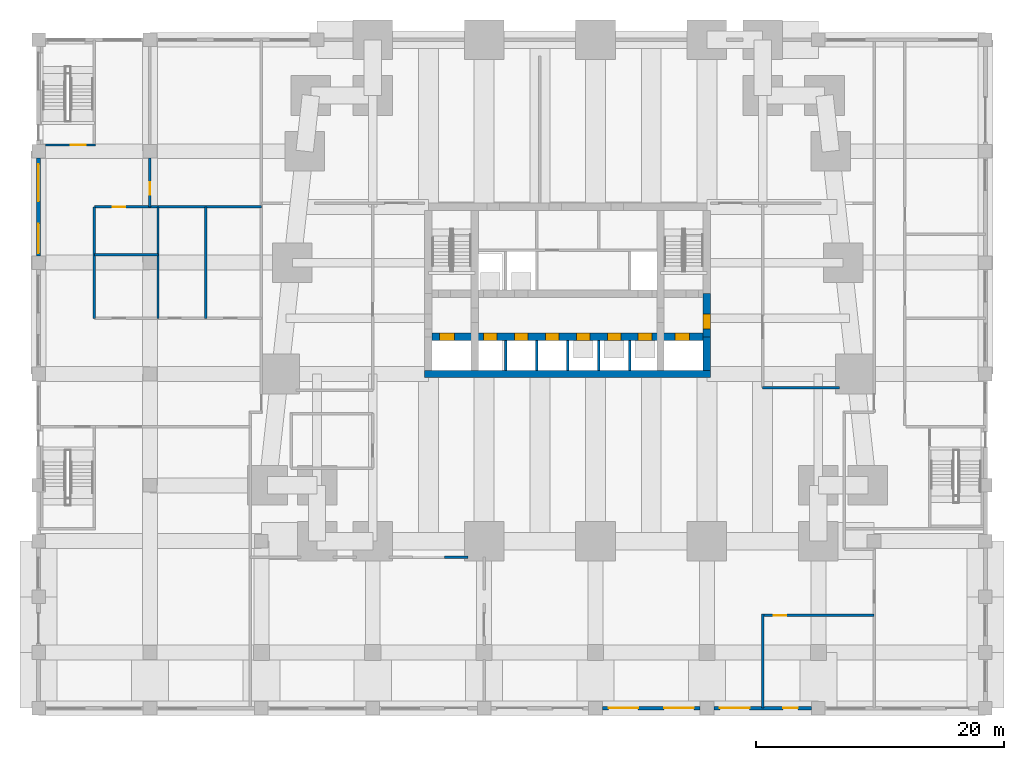
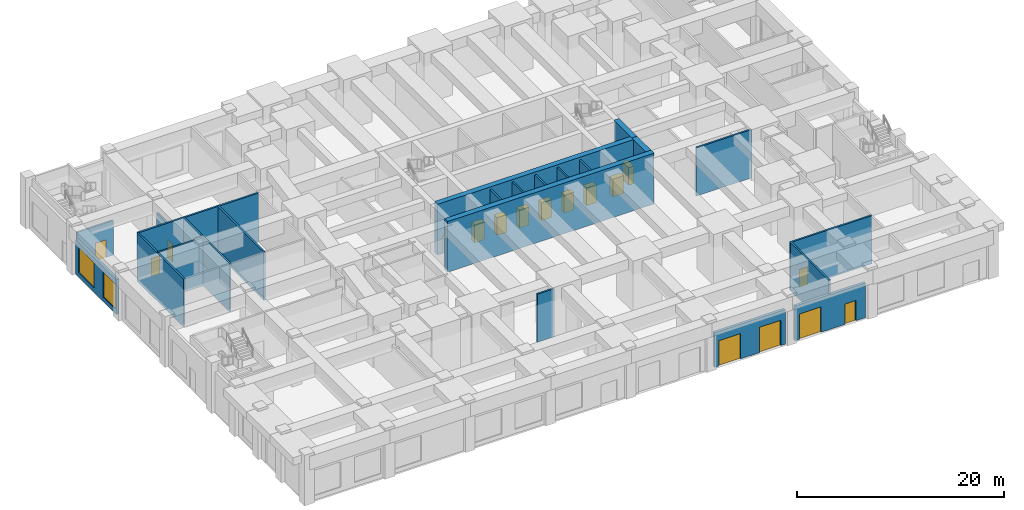
# One storey, part 4 of 13: 23 walls, 17 doors, 2 windows, 19 openings.
"""IFC4 building model written with IfcOpenShell, lengths in metres."""

from ifc_helpers import new_model, si_unit, direction, frame, frame_2d, origin, place, context, subcontext, project, spatial, rectangle, extrude, material, layer, layer_set, type_object, element, fill, save


model = new_model("IFC4")

# Units and contexts
model_context = context("Model", 3, precision=1e-05, world=origin(), true_north=direction((0.0, 1.0)))
body_context = subcontext(model_context, "Body", "Model", "MODEL_VIEW")
ifc_project = project(units=[si_unit("LENGTHUNIT", "METRE"), si_unit("AREAUNIT", "SQUARE_METRE"), si_unit("VOLUMEUNIT", "CUBIC_METRE"), si_unit("PLANEANGLEUNIT", "RADIAN"), si_unit("MASSUNIT", "GRAM", prefix="KILO")], contexts=[model_context])

# Site, building, storey
site_placement = place(None, origin())
site = spatial("IfcSite", under=ifc_project, at=site_placement, CompositionType="ELEMENT")
building_placement = place(site_placement, origin())
building = spatial("IfcBuilding", under=site, at=building_placement, Name="Kilele Tower Hotel", CompositionType="ELEMENT")
storey_placement = place(building_placement, origin())
storey = spatial("IfcBuildingStorey", under=building, at=storey_placement, Name="L00", CompositionType="ELEMENT", Elevation=0.0)

# Wall
ifc_material_1 = material(Name="Concrete C60/75", Category="concrete")
ifc_layer_1 = layer(ifc_material_1, 0.60009765625)
ifc_layer_set_1 = layer_set([ifc_layer_1], Name="Concrete C60/75")
wall_type_1 = type_object("IfcWallType", Name="Core wall 600 C60/75", PredefinedType="SHEAR", material=ifc_layer_set_1)
wall_1_placement = place(storey_placement, frame((13.199951171875, 13.5, 0.0), z_axis=(0.0, 0.0, 1.0), x_axis=(1.0, 0.0, 0.0)))
element("IfcWall", 1, at=wall_1_placement, inside=storey, type_object=wall_type_1, Name="Core wall S L00", PredefinedType="SHEAR", context=body_context, shape_type="SweptSolid", body=[
    extrude(rectangle(XDim=23.10009765625, YDim=0.60009765625, at=frame_2d((11.550048828125, 0.0))), origin(), (0.0, 0.0, 1.0), 6.0),
])

# Wall, openings, doors
wall_2_placement = place(storey_placement, frame((13.800048828125, 16.5, 0.0), z_axis=(0.0, 0.0, 1.0), x_axis=(1.0, 0.0, 0.0)))
wall_2 = element("IfcWall", 2, at=wall_2_placement, inside=storey, type_object=wall_type_1, Name="Core wall LS L00", PredefinedType="SHEAR", context=body_context, shape_type="SweptSolid", body=[
    extrude(rectangle(XDim=21.89990234375, YDim=0.60009765625, at=frame_2d((10.949951171875, 0.0))), origin(), (0.0, 0.0, 1.0), 6.0),
])
opening_1_placement = place(wall_2_placement, frame((4.14990234375, 0.0, 0.0)))
opening_1 = element("IfcOpeningElement", 3, at=opening_1_placement, cuts=wall_2, Name="Opening LD1", PredefinedType="OPENING", context=body_context, shape_type="SweptSolid", body=[
    extrude(rectangle(XDim=1.10009765625, YDim=2.10009765625, at=frame_2d((0.550048828125, 1.050048828125))), frame((0.0, 0.31005859375, 0.0), z_axis=(0.0, -1.0, 0.0), x_axis=(1.0, 0.0, 0.0)), (0.0, 0.0, 1.0), 0.6201171875),
])
opening_2_placement = place(wall_2_placement, frame((6.64990234375, 0.0, 0.0)))
opening_2 = element("IfcOpeningElement", 4, at=opening_2_placement, cuts=wall_2, Name="Opening LD1", PredefinedType="OPENING", context=body_context, shape_type="SweptSolid", body=[
    extrude(rectangle(XDim=1.10009765625, YDim=2.10009765625, at=frame_2d((0.550048828125, 1.050048828125))), frame((0.0, 0.31005859375, 0.0), z_axis=(0.0, -1.0, 0.0), x_axis=(1.0, 0.0, 0.0)), (0.0, 0.0, 1.0), 0.6201171875),
])
opening_3_placement = place(wall_2_placement, frame((9.14990234375, 0.0, 0.0)))
opening_3 = element("IfcOpeningElement", 5, at=opening_3_placement, cuts=wall_2, Name="Opening LD1", PredefinedType="OPENING", context=body_context, shape_type="SweptSolid", body=[
    extrude(rectangle(XDim=1.10009765625, YDim=2.10009765625, at=frame_2d((0.550048828125, 1.050048828125))), frame((0.0, 0.31005859375, 0.0), z_axis=(0.0, -1.0, 0.0), x_axis=(1.0, 0.0, 0.0)), (0.0, 0.0, 1.0), 0.6201171875),
])
opening_4_placement = place(wall_2_placement, frame((11.64990234375, 0.0, 0.0)))
opening_4 = element("IfcOpeningElement", 6, at=opening_4_placement, cuts=wall_2, Name="Opening LD1", PredefinedType="OPENING", context=body_context, shape_type="SweptSolid", body=[
    extrude(rectangle(XDim=1.10009765625, YDim=2.10009765625, at=frame_2d((0.550048828125, 1.050048828125))), frame((0.0, 0.31005859375, 0.0), z_axis=(0.0, -1.0, 0.0), x_axis=(1.0, 0.0, 0.0)), (0.0, 0.0, 1.0), 0.6201171875),
])
opening_5_placement = place(wall_2_placement, frame((14.14990234375, 0.0, 0.0)))
opening_5 = element("IfcOpeningElement", 7, at=opening_5_placement, cuts=wall_2, Name="Opening LD1", PredefinedType="OPENING", context=body_context, shape_type="SweptSolid", body=[
    extrude(rectangle(XDim=1.10009765625, YDim=2.10009765625, at=frame_2d((0.550048828125, 1.050048828125))), frame((0.0, 0.31005859375, 0.0), z_axis=(0.0, -1.0, 0.0), x_axis=(1.0, 0.0, 0.0)), (0.0, 0.0, 1.0), 0.6201171875),
])
opening_6_placement = place(wall_2_placement, frame((16.64990234375, 0.0, 0.0)))
opening_6 = element("IfcOpeningElement", 8, at=opening_6_placement, cuts=wall_2, Name="Opening LD1", PredefinedType="OPENING", context=body_context, shape_type="SweptSolid", body=[
    extrude(rectangle(XDim=1.10009765625, YDim=2.10009765625, at=frame_2d((0.550048828125, 1.050048828125))), frame((0.0, 0.31005859375, 0.0), z_axis=(0.0, -1.0, 0.0), x_axis=(1.0, 0.0, 0.0)), (0.0, 0.0, 1.0), 0.6201171875),
])
opening_7_placement = place(wall_2_placement, frame((0.60009765625, 0.0, 0.0)))
opening_7 = element("IfcOpeningElement", 9, at=opening_7_placement, cuts=wall_2, Name="Opening LD2", PredefinedType="OPENING", context=body_context, shape_type="SweptSolid", body=[
    extrude(rectangle(XDim=1.199951171875, YDim=2.10009765625, at=frame_2d((0.60009765625, 1.050048828125))), frame((0.0, 0.31005859375, 0.0), z_axis=(0.0, -1.0, 0.0), x_axis=(1.0, 0.0, 0.0)), (0.0, 0.0, 1.0), 0.6201171875),
])
opening_8_placement = place(wall_2_placement, frame((19.60009765625, 0.0, 0.0)))
opening_8 = element("IfcOpeningElement", 10, at=opening_8_placement, cuts=wall_2, Name="Opening LD2", PredefinedType="OPENING", context=body_context, shape_type="SweptSolid", body=[
    extrude(rectangle(XDim=1.199951171875, YDim=2.10009765625, at=frame_2d((0.60009765625, 1.050048828125))), frame((0.0, 0.31005859375, 0.0), z_axis=(0.0, -1.0, 0.0), x_axis=(1.0, 0.0, 0.0)), (0.0, 0.0, 1.0), 0.6201171875),
])
ifc_material_2 = material(Name="Steel lift landing door", Category="steel")
door_type_1 = type_object("IfcDoorType", Name="Firefighting lift landing door 1200", OperationType="SLIDING_TO_LEFT", PredefinedType="DOOR", material=ifc_material_2)
door_1_placement = place(opening_7_placement, origin())
door_1 = element("IfcDoor", 11, at=door_1_placement, inside=storey, type_object=door_type_1, Name="Landing door FFW L00", OperationType="SLIDING_TO_LEFT", OverallHeight=2.10009765625, OverallWidth=1.199951171875, PredefinedType="DOOR", context=body_context, shape_type="SweptSolid", body=[
    extrude(rectangle(XDim=1.199951171875, YDim=2.10009765625, at=frame_2d((0.60009765625, 1.050048828125))), frame((0.0, 0.2998046875, 0.0), z_axis=(0.0, -1.0, 0.0), x_axis=(1.0, 0.0, 0.0)), (0.0, 0.0, 1.0), 0.599609375),
])
fill(opening_7, door_1)
door_2_placement = place(opening_8_placement, origin())
door_2 = element("IfcDoor", 12, at=door_2_placement, inside=storey, type_object=door_type_1, Name="Landing door FFE L00", OperationType="SLIDING_TO_LEFT", OverallHeight=2.10009765625, OverallWidth=1.199951171875, PredefinedType="DOOR", context=body_context, shape_type="SweptSolid", body=[
    extrude(rectangle(XDim=1.199951171875, YDim=2.10009765625, at=frame_2d((0.60009765625, 1.050048828125))), frame((0.0, 0.2998046875, 0.0), z_axis=(0.0, -1.0, 0.0), x_axis=(1.0, 0.0, 0.0)), (0.0, 0.0, 1.0), 0.599609375),
])
fill(opening_8, door_2)
ifc_material_3 = material(Name="Steel lift landing door", Category="steel")
door_type_2 = type_object("IfcDoorType", Name="Lift landing door 1100", OperationType="SLIDING_TO_LEFT", PredefinedType="DOOR", material=ifc_material_3)
door_3_placement = place(opening_1_placement, origin())
door_3 = element("IfcDoor", 13, at=door_3_placement, inside=storey, type_object=door_type_2, Name="Landing door L1 L00", OperationType="SLIDING_TO_LEFT", OverallHeight=2.10009765625, OverallWidth=1.10009765625, PredefinedType="DOOR", context=body_context, shape_type="SweptSolid", body=[
    extrude(rectangle(XDim=1.10009765625, YDim=2.10009765625, at=frame_2d((0.550048828125, 1.050048828125))), frame((0.0, 0.2998046875, 0.0), z_axis=(0.0, -1.0, 0.0), x_axis=(1.0, 0.0, 0.0)), (0.0, 0.0, 1.0), 0.599609375),
])
fill(opening_1, door_3)
door_4_placement = place(opening_2_placement, origin())
door_4 = element("IfcDoor", 14, at=door_4_placement, inside=storey, type_object=door_type_2, Name="Landing door L2 L00", OperationType="SLIDING_TO_LEFT", OverallHeight=2.10009765625, OverallWidth=1.10009765625, PredefinedType="DOOR", context=body_context, shape_type="SweptSolid", body=[
    extrude(rectangle(XDim=1.10009765625, YDim=2.10009765625, at=frame_2d((0.550048828125, 1.050048828125))), frame((0.0, 0.2998046875, 0.0), z_axis=(0.0, -1.0, 0.0), x_axis=(1.0, 0.0, 0.0)), (0.0, 0.0, 1.0), 0.599609375),
])
fill(opening_2, door_4)
door_5_placement = place(opening_3_placement, origin())
door_5 = element("IfcDoor", 15, at=door_5_placement, inside=storey, type_object=door_type_2, Name="Landing door L3 L00", OperationType="SLIDING_TO_LEFT", OverallHeight=2.10009765625, OverallWidth=1.10009765625, PredefinedType="DOOR", context=body_context, shape_type="SweptSolid", body=[
    extrude(rectangle(XDim=1.10009765625, YDim=2.10009765625, at=frame_2d((0.550048828125, 1.050048828125))), frame((0.0, 0.2998046875, 0.0), z_axis=(0.0, -1.0, 0.0), x_axis=(1.0, 0.0, 0.0)), (0.0, 0.0, 1.0), 0.599609375),
])
fill(opening_3, door_5)
door_6_placement = place(opening_4_placement, origin())
door_6 = element("IfcDoor", 16, at=door_6_placement, inside=storey, type_object=door_type_2, Name="Landing door M1 L00", OperationType="SLIDING_TO_LEFT", OverallHeight=2.10009765625, OverallWidth=1.10009765625, PredefinedType="DOOR", context=body_context, shape_type="SweptSolid", body=[
    extrude(rectangle(XDim=1.10009765625, YDim=2.10009765625, at=frame_2d((0.550048828125, 1.050048828125))), frame((0.0, 0.2998046875, 0.0), z_axis=(0.0, -1.0, 0.0), x_axis=(1.0, 0.0, 0.0)), (0.0, 0.0, 1.0), 0.599609375),
])
fill(opening_4, door_6)
door_7_placement = place(opening_5_placement, origin())
door_7 = element("IfcDoor", 17, at=door_7_placement, inside=storey, type_object=door_type_2, Name="Landing door M2 L00", OperationType="SLIDING_TO_LEFT", OverallHeight=2.10009765625, OverallWidth=1.10009765625, PredefinedType="DOOR", context=body_context, shape_type="SweptSolid", body=[
    extrude(rectangle(XDim=1.10009765625, YDim=2.10009765625, at=frame_2d((0.550048828125, 1.050048828125))), frame((0.0, 0.2998046875, 0.0), z_axis=(0.0, -1.0, 0.0), x_axis=(1.0, 0.0, 0.0)), (0.0, 0.0, 1.0), 0.599609375),
])
fill(opening_5, door_7)
door_8_placement = place(opening_6_placement, origin())
door_8 = element("IfcDoor", 18, at=door_8_placement, inside=storey, type_object=door_type_2, Name="Landing door M3 L00", OperationType="SLIDING_TO_LEFT", OverallHeight=2.10009765625, OverallWidth=1.10009765625, PredefinedType="DOOR", context=body_context, shape_type="SweptSolid", body=[
    extrude(rectangle(XDim=1.10009765625, YDim=2.10009765625, at=frame_2d((0.550048828125, 1.050048828125))), frame((0.0, 0.2998046875, 0.0), z_axis=(0.0, -1.0, 0.0), x_axis=(1.0, 0.0, 0.0)), (0.0, 0.0, 1.0), 0.599609375),
])
fill(opening_6, door_8)

# Wall
wall_3_placement = place(storey_placement, frame((36.0, 13.800048828125, 0.0), z_axis=(0.0, 0.0, 1.0), x_axis=(0.0, 1.0, 0.0)))
element("IfcWall", 19, at=wall_3_placement, inside=storey, type_object=wall_type_1, Name="Core wall E1 L00", PredefinedType="SHEAR", context=body_context, shape_type="SweptSolid", body=[
    extrude(rectangle(XDim=2.699951171875, YDim=0.60009765625, at=frame_2d((1.35009765625, 0.0))), origin(), (0.0, 0.0, 1.0), 6.0),
])

# Wall, opening, door
wall_4_placement = place(storey_placement, frame((36.0, 16.5, 0.0), z_axis=(0.0, 0.0, 1.0), x_axis=(0.0, 1.0, 0.0)))
wall_4 = element("IfcWall", 20, at=wall_4_placement, inside=storey, type_object=wall_type_1, Name="Core wall E2 L00", PredefinedType="SHEAR", context=body_context, shape_type="SweptSolid", body=[
    extrude(rectangle(XDim=3.5, YDim=0.60009765625, at=frame_2d((1.75, 0.0))), origin(), (0.0, 0.0, 1.0), 6.0),
])
opening_9_placement = place(wall_4_placement, frame((0.64990234375, 0.0, 0.0)))
opening_9 = element("IfcOpeningElement", 21, at=opening_9_placement, cuts=wall_4, Name="Opening D4", PredefinedType="OPENING", context=body_context, shape_type="SweptSolid", body=[
    extrude(rectangle(XDim=1.199951171875, YDim=2.10009765625, at=frame_2d((0.60009765625, 1.050048828125))), frame((0.0, 0.31005859375, 0.0), z_axis=(0.0, -1.0, 0.0), x_axis=(1.0, 0.0, 0.0)), (0.0, 0.0, 1.0), 0.6201171875),
])
ifc_material_4 = material(Name="Timber door leaf in hardwood frame", Category="wood")
door_type_3 = type_object("IfcDoorType", Name="Firefighting lobby door 1200", OperationType="SINGLE_SWING_LEFT", PredefinedType="DOOR", material=ifc_material_4)
door_9_placement = place(opening_9_placement, origin())
door_9 = element("IfcDoor", 22, at=door_9_placement, inside=storey, type_object=door_type_3, Name="Lobby door L00", OperationType="SINGLE_SWING_LEFT", OverallHeight=2.10009765625, OverallWidth=1.199951171875, PredefinedType="DOOR", context=body_context, shape_type="SweptSolid", body=[
    extrude(rectangle(XDim=1.199951171875, YDim=2.10009765625, at=frame_2d((0.60009765625, 1.050048828125))), frame((0.0, 0.2998046875, 0.0), z_axis=(0.0, -1.0, 0.0), x_axis=(1.0, 0.0, 0.0)), (0.0, 0.0, 1.0), 0.599609375),
])
fill(opening_9, door_9)

# Wall
ifc_material_5 = material(Name="Blockwork, plastered both sides", Category="masonry")
ifc_layer_2 = layer(ifc_material_5, 0.199951171875)
ifc_layer_set_2 = layer_set([ifc_layer_2], Name="Blockwork, plastered both sides")
wall_type_2 = type_object("IfcWallType", Name="Partition wall 200", PredefinedType="PARTITIONING", material=ifc_layer_set_2)
wall_5_placement = place(storey_placement, frame((-13.5, 18.0, 0.0), z_axis=(0.0, 0.0, 1.0), x_axis=(0.0, 1.0, 0.0)))
element("IfcWall", 23, at=wall_5_placement, inside=storey, type_object=wall_type_2, Name="Partition wall 200 L00", PredefinedType="PARTITIONING", context=body_context, shape_type="SweptSolid", body=[
    extrude(rectangle(XDim=9.0, YDim=0.199951171875, at=frame_2d((4.5, 0.0))), origin(), (0.0, 0.0, 1.0), 5.699951171875),
])

# Wall, opening, door
wall_6_placement = place(storey_placement, frame((-13.5, 27.0, 0.0), z_axis=(0.0, 0.0, 1.0), x_axis=(1.0, 0.0, 0.0)))
wall_6 = element("IfcWall", 24, at=wall_6_placement, inside=storey, type_object=wall_type_2, Name="Partition wall 200 L00", PredefinedType="PARTITIONING", context=body_context, shape_type="SweptSolid", body=[
    extrude(rectangle(XDim=13.5, YDim=0.199951171875, at=frame_2d((6.75, 0.0))), origin(), (0.0, 0.0, 1.0), 5.699951171875),
])
opening_10_placement = place(wall_6_placement, frame((2.5, 0.0, 0.0), z_axis=(0.0, 0.0, 1.0), x_axis=(-1.0, 0.0, 0.0)))
opening_10 = element("IfcOpeningElement", 25, at=opening_10_placement, cuts=wall_6, Name="Opening D8", PredefinedType="OPENING", context=body_context, shape_type="SweptSolid", body=[
    extrude(rectangle(XDim=1.0, YDim=2.10009765625, at=frame_2d((0.5, 1.050048828125))), frame((0.0, 0.10986328125, 0.0), z_axis=(0.0, -1.0, 0.0), x_axis=(1.0, 0.0, 0.0)), (0.0, 0.0, 1.0), 0.219970703125),
])
ifc_material_6 = material(Name="Timber door leaf in hardwood frame", Category="wood")
door_type_4 = type_object("IfcDoorType", Name="Door 1000", OperationType="SINGLE_SWING_LEFT", PredefinedType="DOOR", material=ifc_material_6)
door_10_placement = place(opening_10_placement, origin())
door_10 = element("IfcDoor", 26, at=door_10_placement, inside=storey, type_object=door_type_4, Name="Accessible WC door", OperationType="SINGLE_SWING_RIGHT", OverallHeight=2.10009765625, OverallWidth=1.0, PredefinedType="DOOR", context=body_context, shape_type="SweptSolid", body=[
    extrude(rectangle(XDim=1.0, YDim=2.10009765625, at=frame_2d((0.5, 1.050048828125))), frame((0.0, 0.02490234375, 0.0), z_axis=(0.0, -1.0, 0.0), x_axis=(1.0, 0.0, 0.0)), (0.0, 0.0, 1.0), 0.050048828125),
])
fill(opening_10, door_10)

# Walls
wall_7_placement = place(storey_placement, frame((-4.5, 18.0, 0.0), z_axis=(0.0, 0.0, 1.0), x_axis=(0.0, 1.0, 0.0)))
element("IfcWall", 27, at=wall_7_placement, inside=storey, type_object=wall_type_2, Name="Partition wall 200 L00", PredefinedType="PARTITIONING", context=body_context, shape_type="SweptSolid", body=[
    extrude(rectangle(XDim=9.0, YDim=0.199951171875, at=frame_2d((4.5, 0.0))), origin(), (0.0, 0.0, 1.0), 5.699951171875),
])
wall_8_placement = place(storey_placement, frame((-13.5, 23.14990234375, 0.0), z_axis=(0.0, 0.0, 1.0), x_axis=(1.0, 0.0, 0.0)))
element("IfcWall", 28, at=wall_8_placement, inside=storey, type_object=wall_type_2, Name="Partition wall 200 L00", PredefinedType="PARTITIONING", context=body_context, shape_type="SweptSolid", body=[
    extrude(rectangle(XDim=5.14990234375, YDim=0.199951171875, at=frame_2d((2.574951171875, 0.0))), origin(), (0.0, 0.0, 1.0), 5.699951171875),
])
wall_9_placement = place(storey_placement, frame((-8.35009765625, 18.0, 0.0), z_axis=(0.0, 0.0, 1.0), x_axis=(0.0, 1.0, 0.0)))
element("IfcWall", 29, at=wall_9_placement, inside=storey, type_object=wall_type_2, Name="Partition wall 200 L00", PredefinedType="PARTITIONING", context=body_context, shape_type="SweptSolid", body=[
    extrude(rectangle(XDim=9.0, YDim=0.199951171875, at=frame_2d((4.5, 0.0))), origin(), (0.0, 0.0, 1.0), 5.699951171875),
])

# Wall, opening, door
wall_10_placement = place(storey_placement, frame((-9.0, 27.0, 0.0), z_axis=(0.0, 0.0, 1.0), x_axis=(0.0, 1.0, 0.0)))
wall_10 = element("IfcWall", 30, at=wall_10_placement, inside=storey, type_object=wall_type_2, Name="Partition wall 200 L00", PredefinedType="PARTITIONING", context=body_context, shape_type="SweptSolid", body=[
    extrude(rectangle(XDim=3.949951171875, YDim=0.199951171875, at=frame_2d((1.97509765625, 0.0))), origin(), (0.0, 0.0, 1.0), 4.10009765625),
])
opening_11_placement = place(wall_10_placement, frame((2.0, 0.0, 0.0), z_axis=(0.0, 0.0, 1.0), x_axis=(-1.0, 0.0, 0.0)))
opening_11 = element("IfcOpeningElement", 31, at=opening_11_placement, cuts=wall_10, Name="Opening D8", PredefinedType="OPENING", context=body_context, shape_type="SweptSolid", body=[
    extrude(rectangle(XDim=1.0, YDim=2.10009765625, at=frame_2d((0.5, 1.050048828125))), frame((0.0, 0.10986328125, 0.0), z_axis=(0.0, -1.0, 0.0), x_axis=(1.0, 0.0, 0.0)), (0.0, 0.0, 1.0), 0.219970703125),
])
door_11_placement = place(opening_11_placement, origin())
door_11 = element("IfcDoor", 32, at=door_11_placement, inside=storey, type_object=door_type_4, Name="Door event office", OperationType="SINGLE_SWING_RIGHT", OverallHeight=2.10009765625, OverallWidth=1.0, PredefinedType="DOOR", context=body_context, shape_type="SweptSolid", body=[
    extrude(rectangle(XDim=1.0, YDim=2.10009765625, at=frame_2d((0.5, 1.050048828125))), frame((0.0, 0.02490234375, 0.0), z_axis=(0.0, -1.0, 0.0), x_axis=(1.0, 0.0, 0.0)), (0.0, 0.0, 1.0), 0.050048828125),
])
fill(opening_11, door_11)

# Wall
wall_11_placement = place(storey_placement, frame((40.5, -13.5, 0.0), z_axis=(0.0, 0.0, 1.0), x_axis=(0.0, 1.0, 0.0)))
element("IfcWall", 33, at=wall_11_placement, inside=storey, type_object=wall_type_2, Name="Partition wall 200 L00", PredefinedType="PARTITIONING", context=body_context, shape_type="SweptSolid", body=[
    extrude(rectangle(XDim=7.60009765625, YDim=0.199951171875, at=frame_2d((3.800048828125, 0.0))), origin(), (0.0, 0.0, 1.0), 5.699951171875),
])

# Wall, opening, door
wall_12_placement = place(storey_placement, frame((40.39990234375, -6.0, 0.0), z_axis=(0.0, 0.0, 1.0), x_axis=(1.0, 0.0, 0.0)))
wall_12 = element("IfcWall", 34, at=wall_12_placement, inside=storey, type_object=wall_type_2, Name="Partition wall 200 L00", PredefinedType="PARTITIONING", context=body_context, shape_type="SweptSolid", body=[
    extrude(rectangle(XDim=9.10009765625, YDim=0.199951171875, at=frame_2d((4.550048828125, 0.0))), origin(), (0.0, 0.0, 1.0), 5.699951171875),
])
opening_12_placement = place(wall_12_placement, frame((2.0, 0.0, 0.0), z_axis=(0.0, 0.0, 1.0), x_axis=(-1.0, 0.0, 0.0)))
opening_12 = element("IfcOpeningElement", 35, at=opening_12_placement, cuts=wall_12, Name="Opening D10", PredefinedType="OPENING", context=body_context, shape_type="SweptSolid", body=[
    extrude(rectangle(XDim=1.0, YDim=2.10009765625, at=frame_2d((0.5, 1.050048828125))), frame((0.0, 0.10986328125, 0.0), z_axis=(0.0, -1.0, 0.0), x_axis=(1.0, 0.0, 0.0)), (0.0, 0.0, 1.0), 0.219970703125),
])
ifc_material_7 = material(Name="Timber door leaf in hardwood frame", Category="wood")
door_type_5 = type_object("IfcDoorType", Name="Fire command centre door 1000", OperationType="SINGLE_SWING_LEFT", PredefinedType="DOOR", material=ifc_material_7)
door_12_placement = place(opening_12_placement, origin())
door_12 = element("IfcDoor", 36, at=door_12_placement, inside=storey, type_object=door_type_5, Name="Fire command centre door", OperationType="SINGLE_SWING_RIGHT", OverallHeight=2.10009765625, OverallWidth=1.0, PredefinedType="DOOR", context=body_context, shape_type="SweptSolid", body=[
    extrude(rectangle(XDim=1.0, YDim=2.10009765625, at=frame_2d((0.5, 1.050048828125))), frame((0.0, 0.02490234375, 0.0), z_axis=(0.0, -1.0, 0.0), x_axis=(1.0, 0.0, 0.0)), (0.0, 0.0, 1.0), 0.050048828125),
])
fill(opening_12, door_12)

# Walls
wall_13_placement = place(storey_placement, frame((14.800048828125, -1.300048828125, 0.0), z_axis=(0.0, 0.0, 1.0), x_axis=(1.0, 0.0, 0.0)))
element("IfcWall", 37, at=wall_13_placement, inside=storey, type_object=wall_type_2, Name="Partition wall 200 L00", PredefinedType="PARTITIONING", context=body_context, shape_type="SweptSolid", body=[
    extrude(rectangle(XDim=1.89990234375, YDim=0.199951171875, at=frame_2d((0.949951171875, 0.0))), origin(), (0.0, 0.0, 1.0), 5.699951171875),
])
wall_14_placement = place(storey_placement, frame((40.5, 12.39990234375, 0.0), z_axis=(0.0, 0.0, 1.0), x_axis=(1.0, 0.0, 0.0)))
element("IfcWall", 38, at=wall_14_placement, inside=storey, type_object=wall_type_2, Name="Partition wall 200 L00", PredefinedType="PARTITIONING", context=body_context, shape_type="SweptSolid", body=[
    extrude(rectangle(XDim=6.199951171875, YDim=0.199951171875, at=frame_2d((3.10009765625, 0.0))), origin(), (0.0, 0.0, 1.0), 5.699951171875),
])

# Wall, openings, doors
ifc_material_8 = material(Name="Concrete C40/50 precast", Category="concrete")
ifc_layer_3 = layer(ifc_material_8, 0.260009765625, Name="Precast backing", Category="LoadBearing")
ifc_material_9 = material(Name="Reconstituted stone finish", Category="masonry")
ifc_layer_4 = layer(ifc_material_9, 0.0400390625, Name="Face mix", Category="Finish")
ifc_layer_set_3 = layer_set([ifc_layer_3, ifc_layer_4], Name="Precast concrete C40/50, reconstituted stone finish")
wall_type_3 = type_object("IfcWallType", Name="Precast stone facade wall 300", PredefinedType="STANDARD", material=ifc_layer_set_3)
wall_15_placement = place(storey_placement, frame((27.550048828125, -13.5, 0.0), z_axis=(0.0, 0.0, 1.0), x_axis=(1.0, 0.0, 0.0)))
wall_15 = element("IfcWall", 39, at=wall_15_placement, inside=storey, type_object=wall_type_3, Name="Podium wall L00 S", PredefinedType="STANDARD", context=body_context, shape_type="SweptSolid", body=[
    extrude(rectangle(XDim=7.89990234375, YDim=0.300048828125, at=frame_2d((3.949951171875, 0.0))), origin(), (0.0, 0.0, 1.0), 4.10009765625),
])
opening_13_placement = place(wall_15_placement, frame((2.89990234375, 0.0, 0.0), z_axis=(0.0, 0.0, 1.0), x_axis=(-1.0, 0.0, 0.0)))
opening_13 = element("IfcOpeningElement", 40, at=opening_13_placement, cuts=wall_15, Name="Opening ED1", PredefinedType="OPENING", context=body_context, shape_type="SweptSolid", body=[
    extrude(rectangle(XDim=2.39990234375, YDim=3.0, at=frame_2d((1.199951171875, 1.5))), frame((0.0, 0.159912109375, 0.0), z_axis=(0.0, -1.0, 0.0), x_axis=(1.0, 0.0, 0.0)), (0.0, 0.0, 1.0), 0.320068359375),
])
opening_14_placement = place(wall_15_placement, frame((7.39990234375, 0.0, 0.0), z_axis=(0.0, 0.0, 1.0), x_axis=(-1.0, 0.0, 0.0)))
opening_14 = element("IfcOpeningElement", 41, at=opening_14_placement, cuts=wall_15, Name="Opening ED1", PredefinedType="OPENING", context=body_context, shape_type="SweptSolid", body=[
    extrude(rectangle(XDim=2.39990234375, YDim=3.0, at=frame_2d((1.199951171875, 1.5))), frame((0.0, 0.159912109375, 0.0), z_axis=(0.0, -1.0, 0.0), x_axis=(1.0, 0.0, 0.0)), (0.0, 0.0, 1.0), 0.320068359375),
])
ifc_material_10 = material(Name="Aluminium frame, clear glazing", Category="aluminium")
door_type_6 = type_object("IfcDoorType", Name="Entrance door 2400", OperationType="DOUBLE_DOOR_SINGLE_SWING", PredefinedType="DOOR", material=ifc_material_10)
door_13_placement = place(opening_13_placement, origin())
door_13 = element("IfcDoor", 42, at=door_13_placement, inside=storey, type_object=door_type_6, Name="Entrance door", OperationType="DOUBLE_DOOR_SINGLE_SWING", OverallHeight=3.0, OverallWidth=2.39990234375, PredefinedType="DOOR", context=body_context, shape_type="SweptSolid", body=[
    extrude(rectangle(XDim=2.39990234375, YDim=3.0, at=frame_2d((1.199951171875, 1.5))), frame((0.0, 0.02490234375, 0.0), z_axis=(0.0, -1.0, 0.0), x_axis=(1.0, 0.0, 0.0)), (0.0, 0.0, 1.0), 0.050048828125),
])
fill(opening_13, door_13)
door_14_placement = place(opening_14_placement, origin())
door_14 = element("IfcDoor", 43, at=door_14_placement, inside=storey, type_object=door_type_6, Name="Entrance door", OperationType="DOUBLE_DOOR_SINGLE_SWING", OverallHeight=3.0, OverallWidth=2.39990234375, PredefinedType="DOOR", context=body_context, shape_type="SweptSolid", body=[
    extrude(rectangle(XDim=2.39990234375, YDim=3.0, at=frame_2d((1.199951171875, 1.5))), frame((0.0, 0.02490234375, 0.0), z_axis=(0.0, -1.0, 0.0), x_axis=(1.0, 0.0, 0.0)), (0.0, 0.0, 1.0), 0.050048828125),
])
fill(opening_14, door_14)

wall_16_placement = place(storey_placement, frame((36.550048828125, -13.5, 0.0), z_axis=(0.0, 0.0, 1.0), x_axis=(1.0, 0.0, 0.0)))
wall_16 = element("IfcWall", 44, at=wall_16_placement, inside=storey, type_object=wall_type_3, Name="Podium wall L00 S", PredefinedType="STANDARD", context=body_context, shape_type="SweptSolid", body=[
    extrude(rectangle(XDim=7.89990234375, YDim=0.300048828125, at=frame_2d((3.949951171875, 0.0))), origin(), (0.0, 0.0, 1.0), 4.10009765625),
])
opening_15_placement = place(wall_16_placement, frame((2.89990234375, 0.0, 0.0), z_axis=(0.0, 0.0, 1.0), x_axis=(-1.0, 0.0, 0.0)))
opening_15 = element("IfcOpeningElement", 45, at=opening_15_placement, cuts=wall_16, Name="Opening ED1", PredefinedType="OPENING", context=body_context, shape_type="SweptSolid", body=[
    extrude(rectangle(XDim=2.39990234375, YDim=3.0, at=frame_2d((1.199951171875, 1.5))), frame((0.0, 0.159912109375, 0.0), z_axis=(0.0, -1.0, 0.0), x_axis=(1.0, 0.0, 0.0)), (0.0, 0.0, 1.0), 0.320068359375),
])
opening_16_placement = place(wall_16_placement, frame((6.800048828125, 0.0, 0.0), z_axis=(0.0, 0.0, 1.0), x_axis=(-1.0, 0.0, 0.0)))
opening_16 = element("IfcOpeningElement", 46, at=opening_16_placement, cuts=wall_16, Name="Opening ED3", PredefinedType="OPENING", context=body_context, shape_type="SweptSolid", body=[
    extrude(rectangle(XDim=1.199951171875, YDim=2.39990234375, at=frame_2d((0.60009765625, 1.199951171875))), frame((0.0, 0.159912109375, 0.0), z_axis=(0.0, -1.0, 0.0), x_axis=(1.0, 0.0, 0.0)), (0.0, 0.0, 1.0), 0.320068359375),
])
door_15_placement = place(opening_15_placement, origin())
door_15 = element("IfcDoor", 47, at=door_15_placement, inside=storey, type_object=door_type_6, Name="Entrance door", OperationType="DOUBLE_DOOR_SINGLE_SWING", OverallHeight=3.0, OverallWidth=2.39990234375, PredefinedType="DOOR", context=body_context, shape_type="SweptSolid", body=[
    extrude(rectangle(XDim=2.39990234375, YDim=3.0, at=frame_2d((1.199951171875, 1.5))), frame((0.0, 0.02490234375, 0.0), z_axis=(0.0, -1.0, 0.0), x_axis=(1.0, 0.0, 0.0)), (0.0, 0.0, 1.0), 0.050048828125),
])
fill(opening_15, door_15)
ifc_material_11 = material(Name="Aluminium frame, clear glazing", Category="aluminium")
door_type_7 = type_object("IfcDoorType", Name="Fire service entrance door 1200", OperationType="SINGLE_SWING_LEFT", PredefinedType="DOOR", material=ifc_material_11)
door_16_placement = place(opening_16_placement, origin())
door_16 = element("IfcDoor", 48, at=door_16_placement, inside=storey, type_object=door_type_7, Name="Fire service entrance door", OperationType="SINGLE_SWING_LEFT", OverallHeight=2.39990234375, OverallWidth=1.199951171875, PredefinedType="DOOR", context=body_context, shape_type="SweptSolid", body=[
    extrude(rectangle(XDim=1.199951171875, YDim=2.39990234375, at=frame_2d((0.60009765625, 1.199951171875))), frame((0.0, 0.02490234375, 0.0), z_axis=(0.0, -1.0, 0.0), x_axis=(1.0, 0.0, 0.0)), (0.0, 0.0, 1.0), 0.050048828125),
])
fill(opening_16, door_16)

# Wall, openings, windows
wall_17_placement = place(storey_placement, frame((-18.0, 30.949951171875, 0.0), z_axis=(0.0, 0.0, 1.0), x_axis=(0.0, -1.0, 0.0)))
wall_17 = element("IfcWall", 49, at=wall_17_placement, inside=storey, type_object=wall_type_3, Name="Podium wall L00 W", PredefinedType="STANDARD", context=body_context, shape_type="SweptSolid", body=[
    extrude(rectangle(XDim=7.89990234375, YDim=0.300048828125, at=frame_2d((3.949951171875, 0.0))), origin(), (0.0, 0.0, 1.0), 4.10009765625),
])
opening_17_placement = place(wall_17_placement, frame((0.5, 0.0, 0.5)))
opening_17 = element("IfcOpeningElement", 50, at=opening_17_placement, cuts=wall_17, Name="Opening W5", PredefinedType="OPENING", context=body_context, shape_type="SweptSolid", body=[
    extrude(rectangle(XDim=3.0, YDim=3.0, at=frame_2d((1.5, 1.5))), frame((0.0, 0.159912109375, 0.0), z_axis=(0.0, -1.0, 0.0), x_axis=(1.0, 0.0, 0.0)), (0.0, 0.0, 1.0), 0.320068359375),
])
opening_18_placement = place(wall_17_placement, frame((5.300048828125, 0.0, 0.5)))
opening_18 = element("IfcOpeningElement", 51, at=opening_18_placement, cuts=wall_17, Name="Opening W5", PredefinedType="OPENING", context=body_context, shape_type="SweptSolid", body=[
    extrude(rectangle(XDim=2.39990234375, YDim=3.0, at=frame_2d((1.199951171875, 1.5))), frame((0.0, 0.159912109375, 0.0), z_axis=(0.0, -1.0, 0.0), x_axis=(1.0, 0.0, 0.0)), (0.0, 0.0, 1.0), 0.320068359375),
])
ifc_material_12 = material(Name="Aluminium frame, clear double glazing", Category="aluminium")
window_type_1 = type_object("IfcWindowType", Name="Window W5 2400 x 3000", PartitioningType="SINGLE_PANEL", PredefinedType="WINDOW", material=ifc_material_12)
window_1_placement = place(opening_18_placement, origin())
window_1 = element("IfcWindow", 52, at=window_1_placement, inside=storey, type_object=window_type_1, Name="Shopfront window L00", OverallHeight=3.0, OverallWidth=2.39990234375, PartitioningType="SINGLE_PANEL", PredefinedType="WINDOW", context=body_context, shape_type="SweptSolid", body=[
    extrude(rectangle(XDim=2.39990234375, YDim=3.0, at=frame_2d((1.199951171875, 1.5))), frame((0.0, 0.030029296875, 0.0), z_axis=(0.0, -1.0, 0.0), x_axis=(1.0, 0.0, 0.0)), (0.0, 0.0, 1.0), 0.06005859375),
])
fill(opening_18, window_1)
ifc_material_13 = material(Name="Aluminium frame, clear double glazing", Category="aluminium")
window_type_2 = type_object("IfcWindowType", Name="Window W5 3000 x 3000", PartitioningType="SINGLE_PANEL", PredefinedType="WINDOW", material=ifc_material_13)
window_2_placement = place(opening_17_placement, origin())
window_2 = element("IfcWindow", 53, at=window_2_placement, inside=storey, type_object=window_type_2, Name="Shopfront window L00", OverallHeight=3.0, OverallWidth=3.0, PartitioningType="SINGLE_PANEL", PredefinedType="WINDOW", context=body_context, shape_type="SweptSolid", body=[
    extrude(rectangle(XDim=3.0, YDim=3.0, at=frame_2d((1.5, 1.5))), frame((0.0, 0.030029296875, 0.0), z_axis=(0.0, -1.0, 0.0), x_axis=(1.0, 0.0, 0.0)), (0.0, 0.0, 1.0), 0.06005859375),
])
fill(opening_17, window_2)

# Walls
ifc_material_14 = material(Name="Blockwork, fire-rated", Category="masonry")
ifc_layer_5 = layer(ifc_material_14, 0.199951171875)
ifc_layer_set_4 = layer_set([ifc_layer_5], Name="Blockwork, fire-rated")
wall_type_4 = type_object("IfcWallType", Name="Shaft wall 200", PredefinedType="PARTITIONING", material=ifc_layer_set_4)
for number, where, z_axis, x_axis, name in (
    (54, (19.75, 13.800048828125, 0.0), (0.0, 0.0, 1.0), (0.0, 1.0, 0.0), "Shaft wall 200 L00"),
    (55, (22.25, 13.800048828125, 0.0), (0.0, 0.0, 1.0), (0.0, 1.0, 0.0), "Shaft wall 200 L00"),
    (56, (24.75, 13.800048828125, 0.0), (0.0, 0.0, 1.0), (0.0, 1.0, 0.0), "Shaft wall 200 L00"),
    (57, (27.25, 13.800048828125, 0.0), (0.0, 0.0, 1.0), (0.0, 1.0, 0.0), "Shaft wall 200 L00"),
    (58, (29.75, 13.800048828125, 0.0), (0.0, 0.0, 1.0), (0.0, 1.0, 0.0), "Shaft wall 200 L00"),
):
    element("IfcWall", number, at=place(storey_placement, frame(where, z_axis=z_axis, x_axis=x_axis)), inside=storey, type_object=wall_type_4, Name=name, PredefinedType="PARTITIONING", context=body_context, shape_type="SweptSolid", body=[
        extrude(rectangle(XDim=2.39990234375, YDim=0.199951171875, at=frame_2d((1.199951171875, 0.0))), origin(), (0.0, 0.0, 1.0), 5.699951171875),
    ])

# Wall, opening, door
ifc_material_15 = material(Name="Concrete C40/50", Category="concrete")
ifc_layer_6 = layer(ifc_material_15, 0.199951171875)
ifc_layer_set_5 = layer_set([ifc_layer_6], Name="Concrete C40/50")
wall_type_5 = type_object("IfcWallType", Name="Stair wall RC 200 C40/50", PredefinedType="SOLIDWALL", material=ifc_layer_set_5)
wall_18_placement = place(storey_placement, frame((-17.449951171875, 32.0, 0.0), z_axis=(0.0, 0.0, 1.0), x_axis=(1.0, 0.0, 0.0)))
wall_18 = element("IfcWall", 59, at=wall_18_placement, inside=storey, type_object=wall_type_5, Name="Stair wall RC 200 C40/50 L00", PredefinedType="SOLIDWALL", context=body_context, shape_type="SweptSolid", body=[
    extrude(rectangle(XDim=4.050048828125, YDim=0.199951171875, at=frame_2d((2.02490234375, 0.0))), origin(), (0.0, 0.0, 1.0), 4.10009765625),
])
opening_19_placement = place(wall_18_placement, frame((2.050048828125, 0.0, 0.0)))
opening_19 = element("IfcOpeningElement", 60, at=opening_19_placement, cuts=wall_18, Name="Opening D5A", PredefinedType="OPENING", context=body_context, shape_type="SweptSolid", body=[
    extrude(rectangle(XDim=1.199951171875, YDim=2.10009765625, at=frame_2d((0.60009765625, 1.050048828125))), frame((0.0, 0.10986328125, 0.0), z_axis=(0.0, -1.0, 0.0), x_axis=(1.0, 0.0, 0.0)), (0.0, 0.0, 1.0), 0.219970703125),
])
ifc_material_16 = material(Name="Timber door leaf in hardwood frame", Category="wood")
door_type_8 = type_object("IfcDoorType", Name="Stair door 1200", OperationType="SINGLE_SWING_LEFT", PredefinedType="DOOR", material=ifc_material_16)
door_17_placement = place(opening_19_placement, origin())
door_17 = element("IfcDoor", 61, at=door_17_placement, inside=storey, type_object=door_type_8, Name="Stair 3 door", OperationType="SINGLE_SWING_RIGHT", OverallHeight=2.10009765625, OverallWidth=1.199951171875, PredefinedType="DOOR", context=body_context, shape_type="SweptSolid", body=[
    extrude(rectangle(XDim=1.199951171875, YDim=2.10009765625, at=frame_2d((0.60009765625, 1.050048828125))), frame((0.0, 0.02490234375, 0.0), z_axis=(0.0, -1.0, 0.0), x_axis=(1.0, 0.0, 0.0)), (0.0, 0.0, 1.0), 0.050048828125),
])
fill(opening_19, door_17)

save(model, "model.ifc")
